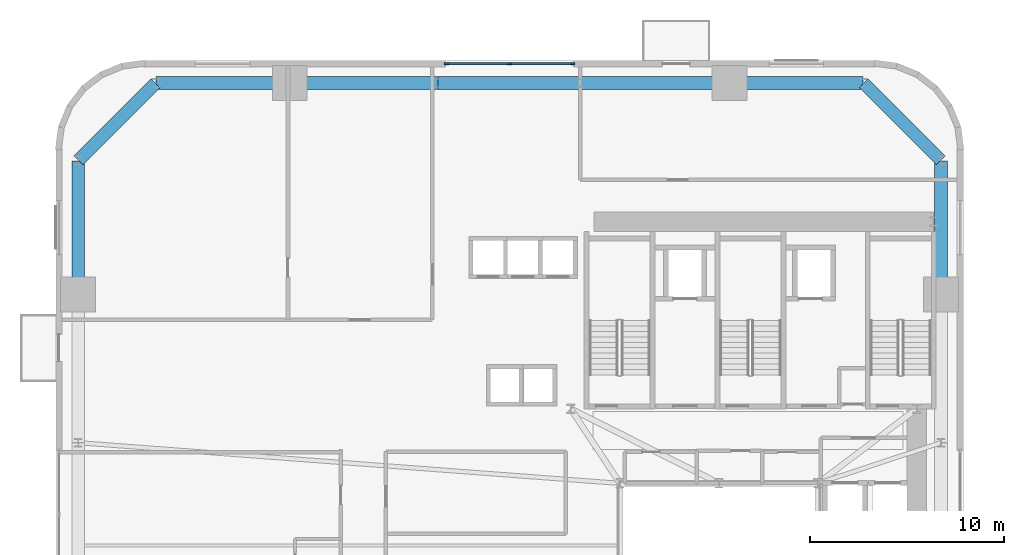
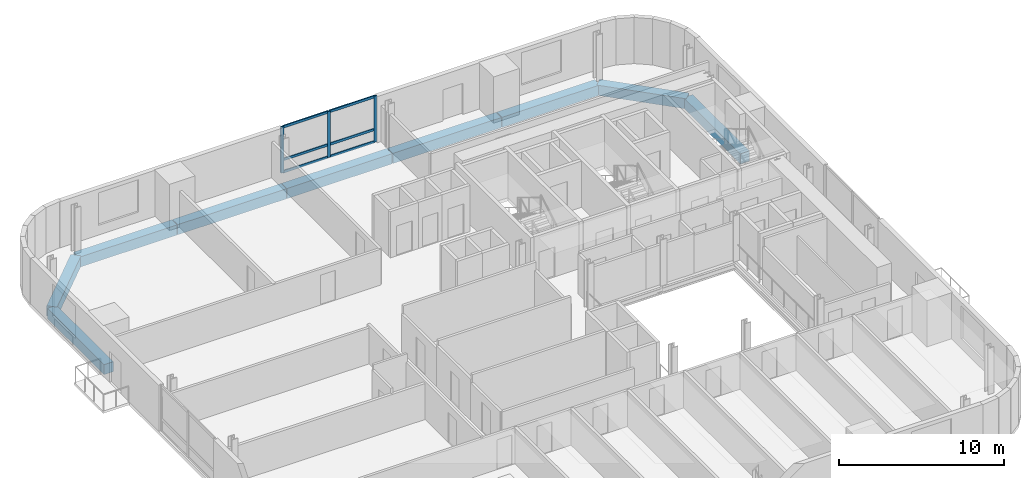
# One storey, part 4 of 13: 9 beams, 9 members, 1 element without a shape of its own.
"""IFC4 building model written with IfcOpenShell, lengths in metres."""

import ifcopenshell
import ifcopenshell.guid

model = None  # the IFC model being written
_history = None  # IfcOwnerHistory: only IFC2X3 demands one
_inside = {}  # id of a spatial element -> (the spatial element, [elements in it])
_under = {}  # id of a project, library or spatial element -> (it, [spatial elements below it])
_declared = {}  # id of a project -> (the project, [libraries it declares])
_typed = {}  # id of a type object -> (the type object, [elements of that type])
_made_of = {}  # id of a material, layer set ... -> (it, [elements and type objects made of it])


def new_model(schema):
    """Start an empty IFC model of exactly this schema.

    Asked for "IFC4X3", IfcOpenShell would pick the latest addendum, in which some entities
    have other attributes; the version numbers below select the first issue.
    IFC2X3 requires an IfcOwnerHistory on every rooted entity: one is made here for all.
    """
    global model, _history
    if schema == "IFC4X3":
        model = ifcopenshell.file(schema_version=(4, 3, 0, 0))
    else:
        model = ifcopenshell.file(schema=schema)
    _inside.clear()
    _under.clear()
    _declared.clear()
    _typed.clear()
    _made_of.clear()
    _history = None
    if model.schema == "IFC2X3":
        org = make("IfcOrganization", Name="unknown")
        user = make(
            "IfcPersonAndOrganization",
            ThePerson=make("IfcPerson", FamilyName="unknown"),
            TheOrganization=org,
        )
        app = make(
            "IfcApplication",
            ApplicationDeveloper=org,
            Version="unknown",
            ApplicationFullName="unknown",
            ApplicationIdentifier="unknown",
        )
        _history = make(
            "IfcOwnerHistory",
            OwningUser=user,
            OwningApplication=app,
            ChangeAction="ADDED",
            CreationDate=0,
        )
    return model


def make(cls, **values):
    """One entity of the class cls with the attributes given. An attribute that is None is left unset."""
    return model.create_entity(
        cls, **{name: value for name, value in values.items() if value is not None}
    )


def rooted(cls, **values):
    """An entity with a GlobalId (a new one), such as an element, a storey or a relation."""
    return make(cls, GlobalId=ifcopenshell.guid.new(), OwnerHistory=_history, **values)


def si_unit(unit_type, name, prefix=None):
    """IfcSIUnit, for example si_unit("LENGTHUNIT", "METRE", prefix="MILLI")."""
    return make("IfcSIUnit", UnitType=unit_type, Prefix=prefix, Name=name)


def assignment(units):
    """IfcUnitAssignment: the units of a project."""
    return None if units is None else make("IfcUnitAssignment", Units=units)


def point(xyz):
    """IfcCartesianPoint."""
    return None if xyz is None else make("IfcCartesianPoint", Coordinates=xyz)


def direction(xyz):
    """IfcDirection."""
    return None if xyz is None else make("IfcDirection", DirectionRatios=xyz)


def frame(location, z_axis=None, x_axis=None):
    """IfcAxis2Placement3D, a coordinate frame: its origin and axes. An axis left out is left unset."""
    return make(
        "IfcAxis2Placement3D",
        Location=point(location),
        Axis=direction(z_axis),
        RefDirection=direction(x_axis),
    )


def frame_2d(location, x_axis=None):
    """IfcAxis2Placement2D, a coordinate frame in the plane: its origin and x axis."""
    return make(
        "IfcAxis2Placement2D", Location=point(location), RefDirection=direction(x_axis)
    )


def origin():
    """The frame at (0, 0, 0) with its axes left unset."""
    return frame((0.0, 0.0, 0.0))


def origin_2d():
    """The frame at (0, 0) in the plane with its x axis left unset."""
    return frame_2d((0.0, 0.0))


def place(relative_to, where):
    """IfcLocalPlacement: puts the frame where relative to a parent placement (None: the world)."""
    return make(
        "IfcLocalPlacement", PlacementRelTo=relative_to, RelativePlacement=where
    )


def context(
    kind, dimensions, precision=None, world=None, true_north=None, identifier=None
):
    """IfcGeometricRepresentationContext, for example the 3D "Model" context."""
    return make(
        "IfcGeometricRepresentationContext",
        ContextIdentifier=identifier,
        ContextType=kind,
        CoordinateSpaceDimension=dimensions,
        Precision=precision,
        WorldCoordinateSystem=world,
        TrueNorth=true_north,
    )


def subcontext(parent, identifier, kind, view, scale=None):
    """IfcGeometricRepresentationSubContext, for example "Body" below "Model"."""
    return make(
        "IfcGeometricRepresentationSubContext",
        ContextIdentifier=identifier,
        ContextType=kind,
        ParentContext=parent,
        TargetScale=scale,
        TargetView=view,
    )


def project(units=None, contexts=None):
    """IfcProject with its units and contexts."""
    return rooted(
        "IfcProject",
        Name="project",
        RepresentationContexts=contexts,
        UnitsInContext=assignment(units),
    )


def spatial(cls, under=None, at=None, **own):
    """A site, building, storey or space (cls), placed at a placement, below another one or the project."""
    s = rooted(cls, ObjectPlacement=at, **own)
    if under is not None:
        _under.setdefault(under.id(), (under, []))[1].append(s)
    return s


def profile(cls, at=None, kind="AREA", **sizes):
    """A parametric profile (cls). Its sizes go by their IFC names, for example OverallWidth=200.0."""
    return make(cls, ProfileType=kind, Position=at, **sizes)


def rectangle(**sizes):
    """IfcRectangleProfileDef."""
    return profile("IfcRectangleProfileDef", **sizes)


def extrude(swept, where, along, depth):
    """IfcExtrudedAreaSolid: the profile swept, set in the frame where, extruded along a direction by depth."""
    return make(
        "IfcExtrudedAreaSolid",
        SweptArea=swept,
        Position=where,
        ExtrudedDirection=direction(along),
        Depth=depth,
    )


def shape(context_of_items, identifier, shape_type, items):
    """IfcShapeRepresentation: the items that make up one representation, for example the "Body"."""
    return make(
        "IfcShapeRepresentation",
        ContextOfItems=context_of_items,
        RepresentationIdentifier=identifier,
        RepresentationType=shape_type,
        Items=items,
    )


def source(mapping_origin, context_of_items, identifier, shape_type, items):
    """IfcRepresentationMap: a shape defined once, which mapped items show again and again."""
    return make(
        "IfcRepresentationMap",
        MappingOrigin=mapping_origin,
        MappedRepresentation=shape(context_of_items, identifier, shape_type, items),
    )


def transform(
    local_origin,
    x_axis=None,
    y_axis=None,
    z_axis=None,
    scale=None,
    scale2=None,
    scale3=None,
    uniform=True,
):
    """IfcCartesianTransformationOperator3D, or its non-uniform kind. x_axis, y_axis, z_axis: its Axis1, 2, 3."""
    if uniform:
        return make(
            "IfcCartesianTransformationOperator3D",
            Axis1=direction(x_axis),
            Axis2=direction(y_axis),
            LocalOrigin=point(local_origin),
            Scale=scale,
            Axis3=direction(z_axis),
        )
    return make(
        "IfcCartesianTransformationOperator3DnonUniform",
        Axis1=direction(x_axis),
        Axis2=direction(y_axis),
        LocalOrigin=point(local_origin),
        Scale=scale,
        Axis3=direction(z_axis),
        Scale2=scale2,
        Scale3=scale3,
    )


def mapped(mapping_source, mapping_target):
    """IfcMappedItem: shows the shape of a source again, moved by a transform."""
    return make(
        "IfcMappedItem", MappingSource=mapping_source, MappingTarget=mapping_target
    )


def material(Name=None, Category=None):
    """IfcMaterial."""
    return make("IfcMaterial", Name=Name, Category=Category)


def material_profile(
    of_material, cross_section, Name=None, Category=None, Priority=None
):
    """IfcMaterialProfile: a cross section and its material."""
    return make(
        "IfcMaterialProfile",
        Name=Name,
        Material=of_material,
        Profile=cross_section,
        Priority=Priority,
        Category=Category,
    )


def profile_set(profiles, Name=None, composite=None):
    """IfcMaterialProfileSet."""
    return make(
        "IfcMaterialProfileSet",
        Name=Name,
        MaterialProfiles=profiles,
        CompositeProfile=composite,
    )


def made_of(thing, what):
    """Note that an element or type object is made of a material, layer set ...; save() writes the relation."""
    if what is not None:
        _made_of.setdefault(what.id(), (what, []))[1].append(thing)
    return thing


def type_object(cls, material=None, **own):
    """A type object (cls), such as IfcWallType, which elements share."""
    return made_of(rooted(cls, **own), material)


def element(
    cls,
    number,
    at=None,
    inside=None,
    cuts=None,
    type_object=None,
    material=None,
    context=None,
    identifier="Body",
    shape_type=None,
    held_by="IfcProductDefinitionShape",
    body=None,
    shapes=None,
    **own,
):
    """One element of the class cls, such as IfcWall. Its Tag is "e" and its number.

    at: its placement. inside: the storey or other place that contains it. cuts: it is an
    opening in that element (IfcRelVoidsElement). A single representation is given by context,
    identifier, shape_type and body (its items); several are given by shapes. held_by: the class
    of the entity that holds the representations. save() writes the other relations.
    """
    e = rooted(cls, Tag="e%d" % number, ObjectPlacement=at, **own)
    if body is not None:
        shapes = [shape(context, identifier, shape_type, body)]
    if shapes is not None:
        e.Representation = make(held_by, Representations=shapes)
    if inside is not None:
        _inside.setdefault(inside.id(), (inside, []))[1].append(e)
    if cuts is not None:
        rooted(
            "IfcRelVoidsElement", RelatingBuildingElement=cuts, RelatedOpeningElement=e
        )
    if type_object is not None:
        _typed.setdefault(type_object.id(), (type_object, []))[1].append(e)
    return made_of(e, material)


def aggregate(whole, parts):
    """IfcRelAggregates: a whole, such as a stair, and the parts it consists of."""
    return rooted("IfcRelAggregates", RelatingObject=whole, RelatedObjects=parts)


def save(model, path):
    """Write the relations noted so far, then the file.

    IfcRelAggregates (storeys below a building ...), IfcRelContainedInSpatialStructure (elements
    in a storey), IfcRelDefinesByType, IfcRelAssociatesMaterial and IfcRelDeclares: one each for
    every whole, place, type object, material and project.
    """
    for whole, parts in _under.values():
        aggregate(whole, parts)
    for where, things in _inside.values():
        rooted(
            "IfcRelContainedInSpatialStructure",
            RelatedElements=things,
            RelatingStructure=where,
        )
    for kind, things in _typed.values():
        rooted("IfcRelDefinesByType", RelatedObjects=things, RelatingType=kind)
    for what, things in _made_of.values():
        rooted("IfcRelAssociatesMaterial", RelatedObjects=things, RelatingMaterial=what)
    for by, libraries in _declared.values():
        rooted("IfcRelDeclares", RelatingContext=by, RelatedDefinitions=libraries)
    model.write(path)


model = new_model("IFC4")

# Units and contexts
model_context = context("Model", 3, precision=1e-05, world=origin(), true_north=direction((0.0, 1.0)))
body_context = subcontext(model_context, "Body", "Model", "MODEL_VIEW")
ifc_project = project(units=[si_unit("LENGTHUNIT", "METRE"), si_unit("AREAUNIT", "SQUARE_METRE"), si_unit("VOLUMEUNIT", "CUBIC_METRE"), si_unit("PLANEANGLEUNIT", "RADIAN"), si_unit("MASSUNIT", "GRAM", prefix="KILO")], contexts=[model_context])

# Site, building, storey
site_placement = place(None, origin())
site = spatial("IfcSite", under=ifc_project, at=site_placement, CompositionType="ELEMENT")
building_placement = place(site_placement, origin())
building = spatial("IfcBuilding", under=site, at=building_placement, Name="Vardaveli Station Tower", CompositionType="ELEMENT")
storey_placement = place(building_placement, frame((0.0, 0.0, 56.800048828125)))
storey = spatial("IfcBuildingStorey", under=building, at=storey_placement, Name="L14", CompositionType="ELEMENT", Elevation=56.800048828125)

# Beams
ifc_material_1 = material(Name="Precast concrete C45/55", Category="concrete")
ifc_material_profile_1 = material_profile(ifc_material_1, rectangle(XDim=0.64990234375, YDim=0.75, at=origin_2d()), Name="LPB 650x750")
ifc_profile_set_1 = profile_set([ifc_material_profile_1], Name="Precast concrete C45/55")
beam_type = type_object("IfcBeamType", Name="BM-LPB-750", PredefinedType="BEAM", material=ifc_profile_set_1)
shared_shape_1 = source(origin(), body_context, "Body", "SweptSolid", [
    extrude(rectangle(XDim=0.64990234375, YDim=0.75, at=origin_2d()), origin(), (0.0, 0.0, 1.0), 7.60009765625),
])
for number, where, z_axis, x_axis, name in (
    (1, (36.820068359375, 47.449951171875, -0.614990234375), (-1.0, 0.0, 0.0), (0.0, -1.0, 0.0), "RBM-L14-13"),
    (2, (21.780029296875, 47.449951171875, -0.614990234375), (-1.0, 0.0, 0.0), (0.0, -1.0, 0.0), "RBM-L14-15"),
):
    element("IfcBeam", number, at=place(storey_placement, frame(where, z_axis=z_axis, x_axis=x_axis)), inside=storey, type_object=beam_type, Name=name, PredefinedType="BEAM", context=body_context, shape_type="MappedRepresentation", body=[
        mapped(shared_shape_1, transform((0.0, 0.0, 0.0), scale=1.0)),
    ])
shared_shape_2 = source(origin(), body_context, "Body", "SweptSolid", [
    extrude(rectangle(XDim=0.64990234375, YDim=0.75, at=origin_2d()), origin(), (0.0, 0.0, 1.0), 7.35986328125),
])
beam_placement = place(storey_placement, frame((29.179931640625, 47.449951171875, -0.614990234375), z_axis=(-1.0, 0.0, 0.0), x_axis=(0.0, -1.0, 0.0)))
element("IfcBeam", 3, at=beam_placement, inside=storey, type_object=beam_type, Name="RBM-L14-14", PredefinedType="BEAM", context=body_context, shape_type="MappedRepresentation", body=[
    mapped(shared_shape_2, transform((0.0, 0.0, 0.0), scale=1.0)),
])
shared_shape_3 = source(origin(), body_context, "Body", "SweptSolid", [
    extrude(rectangle(XDim=0.64990234375, YDim=0.75, at=origin_2d()), origin(), (0.0, 0.0, 1.0), 6.869873046875),
])
for number, where, z_axis, x_axis, name in (
    (4, (47.75, 36.56005859375, -0.614990234375), (0.0, 1.0, 0.0), (-1.0, 0.0, 0.0), "RBM-L14-10"),
    (5, (43.72998046875, 47.449951171875, -0.614990234375), (-1.0, 0.0, 0.0), (0.0, -1.0, 0.0), "RBM-L14-12"),
    (6, (14.139892578125, 47.449951171875, -0.614990234375), (-1.0, 0.0, 0.0), (0.0, -1.0, 0.0), "RBM-L14-16"),
    (7, (3.25, 43.429931640625, -0.614990234375), (0.0, -1.0, 0.0), (1.0, 0.0, 0.0), "RBM-L14-18"),
):
    element("IfcBeam", number, at=place(storey_placement, frame(where, z_axis=z_axis, x_axis=x_axis)), inside=storey, type_object=beam_type, Name=name, PredefinedType="BEAM", context=body_context, shape_type="MappedRepresentation", body=[
        mapped(shared_shape_3, transform((0.0, 0.0, 0.0), scale=1.0)),
    ])
shared_shape_4 = source(origin(), body_context, "Body", "SweptSolid", [
    extrude(rectangle(XDim=0.64990234375, YDim=0.75, at=origin_2d()), origin(), (0.0, 0.0, 1.0), 5.61669921875),
])
for number, where, z_axis, x_axis, name in (
    (8, (47.73583984375, 43.464111328125, -0.614990234375), (-0.707106781187, 0.707106781187, 0.0), (-0.707106781187, -0.707106781187, 0.0), "RBM-L14-11"),
    (9, (7.23583984375, 47.435791015625, -0.614990234375), (-0.707106781187, -0.707106781187, 0.0), (0.707106781187, -0.707106781187, 0.0), "RBM-L14-17"),
):
    element("IfcBeam", number, at=place(storey_placement, frame(where, z_axis=z_axis, x_axis=x_axis)), inside=storey, type_object=beam_type, Name=name, PredefinedType="BEAM", context=body_context, shape_type="MappedRepresentation", body=[
        mapped(shared_shape_4, transform((0.0, 0.0, 0.0), scale=1.0)),
    ])

# Curtain wall, members
ifc_material_2 = material(Name="Travertine stone and solar-control glass", Category="masonry")
curtain_wall_type = type_object("IfcCurtainWallType", Name="CW-SYS-2", PredefinedType="NOTDEFINED", material=ifc_material_2)
curtain_wall_placement = place(storey_placement, origin())
curtain_wall = element("IfcCurtainWall", 10, at=curtain_wall_placement, inside=storey, type_object=curtain_wall_type, Name="CW-L14-N", PredefinedType="NOTDEFINED")
ifc_material_3 = material(Name="Anodised aluminium alloy 6063-T6", Category="aluminium")
ifc_material_profile_2 = material_profile(ifc_material_3, rectangle(XDim=0.0849609375, YDim=0.219970703125, at=origin_2d()), Name="CWM 85x220")
ifc_profile_set_2 = profile_set([ifc_material_profile_2], Name="Anodised aluminium alloy 6063-T6")
member_type_1 = type_object("IfcMemberType", Name="CW-SYS-2-MULL", PredefinedType="MULLION", material=ifc_profile_set_2)
shared_shape_5 = source(origin(), body_context, "Body", "SweptSolid", [
    extrude(rectangle(XDim=0.0849609375, YDim=0.219970703125, at=origin_2d()), origin(), (0.0, 0.0, 1.0), 3.409912109375),
])
member_1_placement = place(storey_placement, frame((28.757568359375, 48.43994140625, 0.0), z_axis=(0.0, 0.0, 1.0), x_axis=(0.0, -1.0, 0.0)))
member_1 = element("IfcMember", 11, at=member_1_placement, type_object=member_type_1, Name="CW-2 mullion 1", PredefinedType="MULLION", context=body_context, shape_type="MappedRepresentation", body=[
    mapped(shared_shape_5, transform((0.0, 0.0, 0.0), scale=1.0)),
])
member_2_placement = place(storey_placement, frame((25.5, 48.43994140625, 0.0), z_axis=(0.0, 0.0, 1.0), x_axis=(0.0, -1.0, 0.0)))
member_2 = element("IfcMember", 12, at=member_2_placement, type_object=member_type_1, Name="CW-2 mullion 2", PredefinedType="MULLION", context=body_context, shape_type="MappedRepresentation", body=[
    mapped(shared_shape_5, transform((0.0, 0.0, 0.0), scale=1.0)),
])
member_3_placement = place(storey_placement, frame((22.242431640625, 48.43994140625, 0.0), z_axis=(0.0, 0.0, 1.0), x_axis=(0.0, -1.0, 0.0)))
member_3 = element("IfcMember", 13, at=member_3_placement, type_object=member_type_1, Name="CW-2 mullion 3", PredefinedType="MULLION", context=body_context, shape_type="MappedRepresentation", body=[
    mapped(shared_shape_5, transform((0.0, 0.0, 0.0), scale=1.0)),
])
ifc_material_profile_3 = material_profile(ifc_material_3, rectangle(XDim=0.0849609375, YDim=0.179931640625, at=origin_2d()), Name="CWT 85x180")
ifc_profile_set_3 = profile_set([ifc_material_profile_3], Name="Anodised aluminium alloy 6063-T6")
member_type_2 = type_object("IfcMemberType", Name="CW-SYS-2-TRAN", PredefinedType="NOTDEFINED", material=ifc_profile_set_3)
shared_shape_6 = source(origin(), body_context, "Body", "SweptSolid", [
    extrude(rectangle(XDim=0.0849609375, YDim=0.179931640625, at=origin_2d()), origin(), (0.0, 0.0, 1.0), 3.172607421875),
])
member_4_placement = place(storey_placement, frame((28.715087890625, 48.43994140625, 0.04248046875), z_axis=(-1.0, 0.0, 0.0), x_axis=(0.0, -1.0, 0.0)))
member_4 = element("IfcMember", 14, at=member_4_placement, type_object=member_type_2, Name="CW-2 transom 1.1", ObjectType="TRANSOM", PredefinedType="USERDEFINED", context=body_context, shape_type="MappedRepresentation", body=[
    mapped(shared_shape_6, transform((0.0, 0.0, 0.0), scale=1.0)),
])
member_5_placement = place(storey_placement, frame((28.715087890625, 48.43994140625, 0.949951171875), z_axis=(-1.0, 0.0, 0.0), x_axis=(0.0, -1.0, 0.0)))
member_5 = element("IfcMember", 15, at=member_5_placement, type_object=member_type_2, Name="CW-2 transom 1.2", ObjectType="TRANSOM", PredefinedType="USERDEFINED", context=body_context, shape_type="MappedRepresentation", body=[
    mapped(shared_shape_6, transform((0.0, 0.0, 0.0), scale=1.0)),
])
member_6_placement = place(storey_placement, frame((28.715087890625, 48.43994140625, 3.367431640625), z_axis=(-1.0, 0.0, 0.0), x_axis=(0.0, -1.0, 0.0)))
member_6 = element("IfcMember", 16, at=member_6_placement, type_object=member_type_2, Name="CW-2 transom 1.3", ObjectType="TRANSOM", PredefinedType="USERDEFINED", context=body_context, shape_type="MappedRepresentation", body=[
    mapped(shared_shape_6, transform((0.0, 0.0, 0.0), scale=1.0)),
])
member_7_placement = place(storey_placement, frame((25.45751953125, 48.43994140625, 0.04248046875), z_axis=(-1.0, 0.0, 0.0), x_axis=(0.0, -1.0, 0.0)))
member_7 = element("IfcMember", 17, at=member_7_placement, type_object=member_type_2, Name="CW-2 transom 2.1", ObjectType="TRANSOM", PredefinedType="USERDEFINED", context=body_context, shape_type="MappedRepresentation", body=[
    mapped(shared_shape_6, transform((0.0, 0.0, 0.0), scale=1.0)),
])
member_8_placement = place(storey_placement, frame((25.45751953125, 48.43994140625, 0.949951171875), z_axis=(-1.0, 0.0, 0.0), x_axis=(0.0, -1.0, 0.0)))
member_8 = element("IfcMember", 18, at=member_8_placement, type_object=member_type_2, Name="CW-2 transom 2.2", ObjectType="TRANSOM", PredefinedType="USERDEFINED", context=body_context, shape_type="MappedRepresentation", body=[
    mapped(shared_shape_6, transform((0.0, 0.0, 0.0), scale=1.0)),
])
member_9_placement = place(storey_placement, frame((25.45751953125, 48.43994140625, 3.367431640625), z_axis=(-1.0, 0.0, 0.0), x_axis=(0.0, -1.0, 0.0)))
member_9 = element("IfcMember", 19, at=member_9_placement, type_object=member_type_2, Name="CW-2 transom 2.3", ObjectType="TRANSOM", PredefinedType="USERDEFINED", context=body_context, shape_type="MappedRepresentation", body=[
    mapped(shared_shape_6, transform((0.0, 0.0, 0.0), scale=1.0)),
])
aggregate(curtain_wall, [member_1, member_2, member_3, member_4, member_5, member_6, member_7, member_8, member_9])

save(model, "model.ifc")
